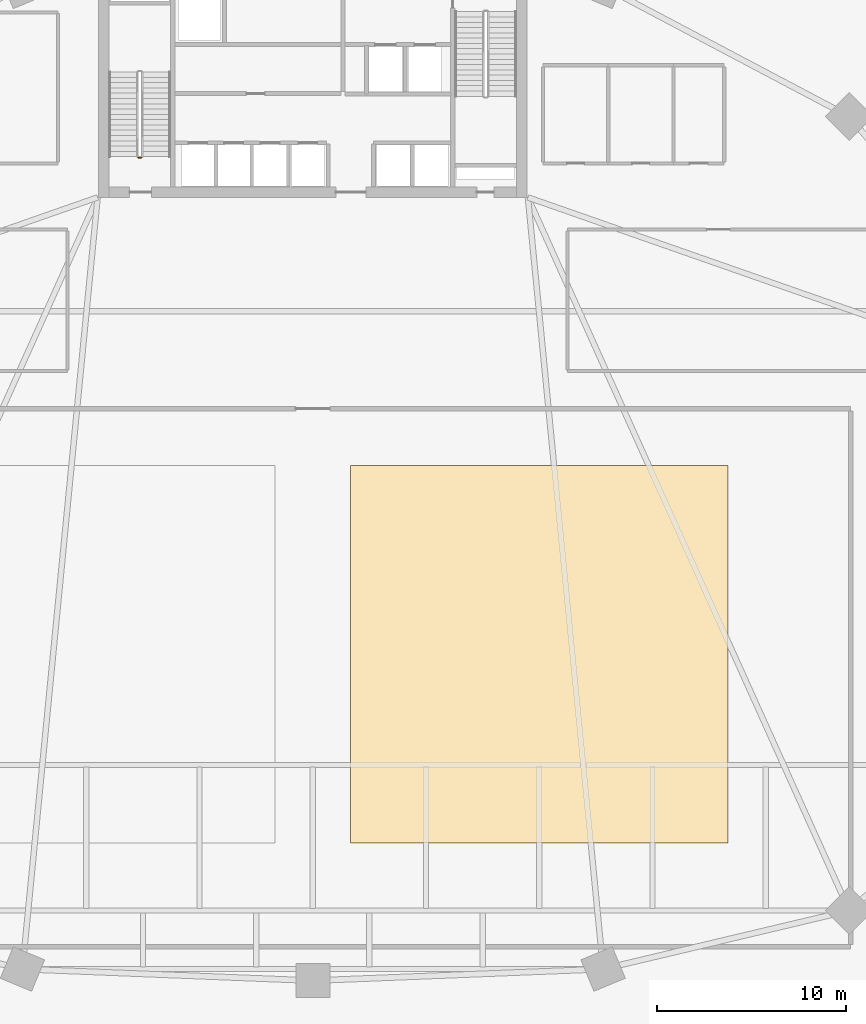
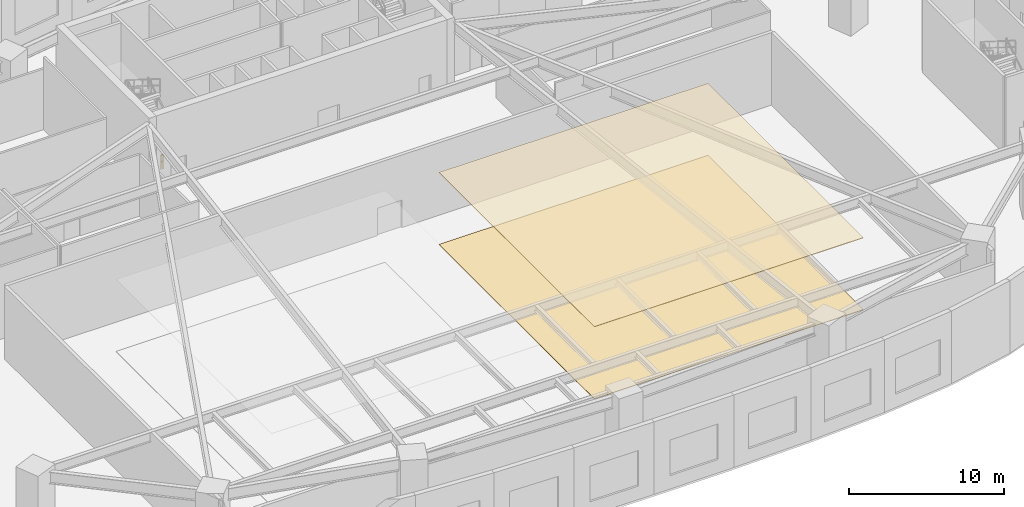
# One storey, part 8 of 10: 2 coverings, 1 railing.
"""IFC4 building model written with IfcOpenShell, lengths in metres."""

from ifc_helpers import new_model, si_unit, direction, frame, origin, origin_2d, place, context, subcontext, project, spatial, polyline, rectangle, outline, extrude, material, layer, layer_set, type_object, element, save


model = new_model("IFC4")

# Units and contexts
model_context = context("Model", 3, precision=1e-05, world=origin(), true_north=direction((0.0, 1.0)))
body_context = subcontext(model_context, "Body", "Model", "MODEL_VIEW")
ifc_project = project(units=[si_unit("LENGTHUNIT", "METRE"), si_unit("AREAUNIT", "SQUARE_METRE"), si_unit("VOLUMEUNIT", "CUBIC_METRE"), si_unit("PLANEANGLEUNIT", "RADIAN"), si_unit("MASSUNIT", "GRAM", prefix="KILO")], contexts=[model_context])

# Site, building, storey
site_placement = place(None, origin())
site = spatial("IfcSite", under=ifc_project, at=site_placement, CompositionType="ELEMENT")
building_placement = place(site_placement, origin())
building = spatial("IfcBuilding", under=site, at=building_placement, Name="Breltana Convention Tower", CompositionType="ELEMENT")
storey_placement = place(building_placement, frame((0.0, 0.0, 12.0)))
storey = spatial("IfcBuildingStorey", under=building, at=storey_placement, Name="L02", CompositionType="ELEMENT", Elevation=12.0)

# Coverings
ifc_material_1 = material(Name="Gypsum Micro-Perforated Acoustic Ceiling")
ifc_layer_1 = layer(ifc_material_1, 0.044921875, Name="Gypsum Micro-Perforated Acoustic Ceiling")
ifc_layer_set_1 = layer_set([ifc_layer_1], Name="Gypsum Micro-Perforated Acoustic Ceiling")
covering_type_1 = type_object("IfcCoveringType", Name="COV-CEIL-ACOUSTIC-45", PredefinedType="CEILING", material=ifc_layer_set_1)
covering_1_placement = place(storey_placement, frame((0.0, 0.0, 5.655029296875)))
element("IfcCovering", 1, at=covering_1_placement, inside=storey, type_object=covering_type_1, Name="L02 hall acoustic ceiling 5", PredefinedType="CEILING", context=body_context, shape_type="SweptSolid", body=[
    extrude(outline(polyline([(50.0, 26.0), (70.0, 26.0), (70.0, 46.0), (50.0, 46.0), (50.0, 26.0)])), origin(), (0.0, 0.0, 1.0), 0.044921875),
])
ifc_material_2 = material(Name="Warm Buff Limestone Terrazzo Flooring", Category="masonry")
ifc_layer_2 = layer(ifc_material_2, 0.034912109375, Name="Warm Buff Limestone Terrazzo Flooring")
ifc_layer_set_2 = layer_set([ifc_layer_2], Name="Warm Buff Limestone Terrazzo Flooring")
covering_type_2 = type_object("IfcCoveringType", Name="COV-FLOOR-TERRAZZO-35", PredefinedType="FLOORING", material=ifc_layer_set_2)
covering_2_placement = place(storey_placement, origin())
element("IfcCovering", 2, at=covering_2_placement, inside=storey, type_object=covering_type_2, Name="L02 hall limestone terrazzo flooring 5", PredefinedType="FLOORING", context=body_context, shape_type="SweptSolid", body=[
    extrude(outline(polyline([(50.0, 26.0), (70.0, 26.0), (70.0, 46.0), (50.0, 46.0), (50.0, 26.0)])), origin(), (0.0, 0.0, 1.0), 0.034912109375),
])

# Railing
ifc_material_3 = material(Name="Steel S275 Painted", Category="steel")
railing_type = type_object("IfcRailingType", Name="RL-STAIR-GUARD-1100", PredefinedType="GUARDRAIL", material=ifc_material_3)
railing_placement = place(storey_placement, frame((38.909912109375, 62.31005859375, 0.0)))
element("IfcRailing", 3, at=railing_placement, inside=storey, type_object=railing_type, Name="L02 ST-1 stair guard 4", PredefinedType="GUARDRAIL", context=body_context, shape_type="SweptSolid", body=[
    extrude(rectangle(XDim=0.048095703125, YDim=0.048095703125, at=origin_2d()), frame((0.0, 0.0, 1.076171875), z_axis=(-1.0, 0.0, 0.0), x_axis=(0.0, -1.0, 0.0)), (0.0, 0.0, 1.0), 0.14990234375),
    extrude(rectangle(XDim=0.048095703125, YDim=0.048095703125, at=origin_2d()), frame((0.0, 0.0, 0.572021484375), z_axis=(-1.0, 0.0, 0.0), x_axis=(0.0, -1.0, 0.0)), (0.0, 0.0, 1.0), 0.14990234375),
    extrude(rectangle(XDim=0.0419921875, YDim=0.0419921875, at=origin_2d()), origin(), (0.0, 0.0, 1.0), 1.052001953125),
    extrude(rectangle(XDim=0.0419921875, YDim=0.0419921875, at=origin_2d()), frame((-0.14990234375, 0.0, 0.0)), (0.0, 0.0, 1.0), 1.052001953125),
])

save(model, "model.ifc")
